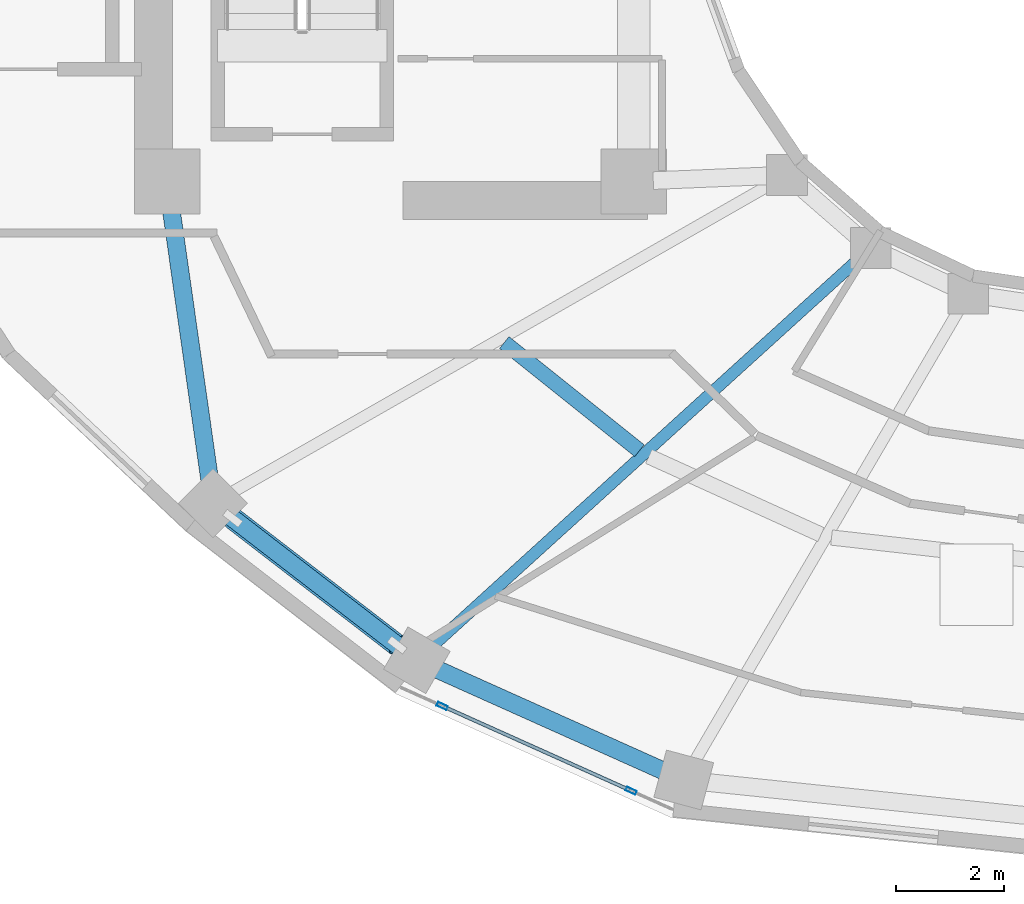
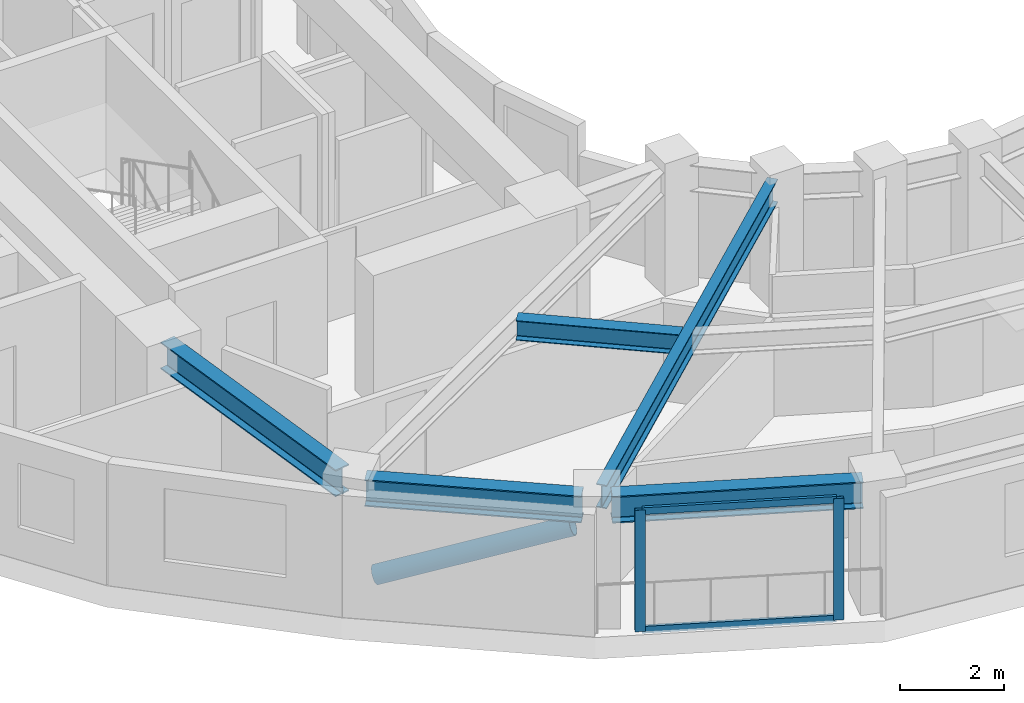
# One storey, part 2 of 17: 5 beams, 5 members, 1 element without a shape of its own.
"""IFC4 building model written with IfcOpenShell, lengths in metres."""

from ifc_helpers import new_model, si_unit, direction, frame, origin, origin_2d, place, context, subcontext, project, spatial, hollow_rectangle, hollow_circle, i_section, extrude, material, layer, layer_set, material_profile, profile_set, type_object, element, aggregate, save


model = new_model("IFC4")

# Units and contexts
model_context = context("Model", 3, precision=1e-05, world=origin(), true_north=direction((0.0, 1.0)))
body_context = subcontext(model_context, "Body", "Model", "MODEL_VIEW")
ifc_project = project(units=[si_unit("LENGTHUNIT", "METRE"), si_unit("AREAUNIT", "SQUARE_METRE"), si_unit("VOLUMEUNIT", "CUBIC_METRE"), si_unit("PLANEANGLEUNIT", "RADIAN"), si_unit("MASSUNIT", "GRAM", prefix="KILO")], contexts=[model_context])

# Site, building, storey
site_placement = place(None, origin())
site = spatial("IfcSite", under=ifc_project, at=site_placement, CompositionType="ELEMENT")
building_placement = place(site_placement, origin())
building = spatial("IfcBuilding", under=site, at=building_placement, Name="Solvane Sanctuary Tower", CompositionType="ELEMENT")
storey_placement = place(building_placement, frame((0.0, 0.0, 171.5)))
storey = spatial("IfcBuildingStorey", under=building, at=storey_placement, Name="L52", CompositionType="ELEMENT", Elevation=171.5)

# Beams
ifc_material_1 = material(Name="Steel ASTM A992 Grade 50", Category="steel")
ifc_material_profile_1 = material_profile(ifc_material_1, i_section(OverallWidth=0.214111328125, OverallDepth=0.549072265625, WebThickness=0.0146484375, FlangeThickness=0.023681640625, FilletRadius=0.014892578125, at=origin_2d()), Name="W21X93")
ifc_profile_set_1 = profile_set([ifc_material_profile_1], Name="Steel ASTM A992 Grade 50")
beam_type_1 = type_object("IfcBeamType", Name="Beam B-RAD-Z3 W21X93", PredefinedType="JOIST", material=ifc_profile_set_1)
beam_1_placement = place(storey_placement, frame((28.062744140625, 15.485107421875, 2.603515625), z_axis=(-0.74020423772, -0.672382098558, 0.0), x_axis=(0.672382098558, -0.74020423772, 0.0)))
element("IfcBeam", 1, at=beam_1_placement, inside=storey, type_object=beam_type_1, Name="L52 Radial Composite Floor Beam 09", PredefinedType="JOIST", context=body_context, shape_type="SweptSolid", body=[
    extrude(i_section(OverallWidth=0.214111328125, OverallDepth=0.549072265625, WebThickness=0.0146484375, FlangeThickness=0.023681640625, FilletRadius=0.014892578125, at=origin_2d()), origin(), (0.0, 0.0, 1.0), 10.7451171875),
])
ifc_material_profile_2 = material_profile(ifc_material_1, i_section(OverallWidth=0.280029296875, OverallDepth=0.462890625, WebThickness=0.0107421875, FlangeThickness=0.017333984375, FilletRadius=0.013916015625, at=origin_2d()), Name="W18X76")
ifc_profile_set_2 = profile_set([ifc_material_profile_2], Name="Steel ASTM A992 Grade 50")
beam_type_2 = type_object("IfcBeamType", Name="Beam B-SEC-JOIST W18X76", PredefinedType="JOIST", material=ifc_profile_set_2)
beam_2_placement = place(storey_placement, frame((21.513916015625, 13.9296875, 2.646484375), z_axis=(0.780950896308, -0.62459242515, 0.0), x_axis=(0.62459242515, 0.780950896308, 0.0)))
element("IfcBeam", 2, at=beam_2_placement, inside=storey, type_object=beam_type_2, Name="L52 Secondary Circumferential Joist 08-09", PredefinedType="JOIST", context=body_context, shape_type="SweptSolid", body=[
    extrude(i_section(OverallWidth=0.280029296875, OverallDepth=0.462890625, WebThickness=0.0107421875, FlangeThickness=0.017333984375, FilletRadius=0.013916015625, at=origin_2d()), origin(), (0.0, 0.0, 1.0), 3.191650390625),
])
ifc_material_profile_3 = material_profile(ifc_material_1, i_section(OverallWidth=0.327880859375, OverallDepth=0.6279296875, WebThickness=0.0166015625, FlangeThickness=0.027587890625, FilletRadius=0.01611328125, at=origin_2d()), Name="W24X146")
ifc_profile_set_3 = profile_set([ifc_material_profile_3], Name="Steel ASTM A992 Grade 50")
beam_type_3 = type_object("IfcBeamType", Name="Beam B-SPAND-Z3 W24X146", PredefinedType="SPANDREL", material=ifc_profile_set_3)
beam_3_placement = place(storey_placement, frame((15.33935546875, 16.622802734375, 2.56396484375), z_axis=(0.140798255486, -0.990038307972, 0.0), x_axis=(0.990038307972, 0.140798255486, 0.0)))
element("IfcBeam", 3, at=beam_3_placement, inside=storey, type_object=beam_type_3, Name="L52 Perimeter Spandrel Beam CW1-TC08", PredefinedType="SPANDREL", context=body_context, shape_type="SweptSolid", body=[
    extrude(i_section(OverallWidth=0.327880859375, OverallDepth=0.6279296875, WebThickness=0.0166015625, FlangeThickness=0.027587890625, FilletRadius=0.01611328125, at=origin_2d()), origin(), (0.0, 0.0, 1.0), 5.430908203125),
])
beam_4_placement = place(storey_placement, frame((16.365234375, 10.798095703125, 2.56396484375), z_axis=(0.792020773873, -0.610494139001, 0.0), x_axis=(0.610494139001, 0.792020773873, 0.0)))
element("IfcBeam", 4, at=beam_4_placement, inside=storey, type_object=beam_type_3, Name="L52 Perimeter Spandrel Beam TC08-TC09", PredefinedType="SPANDREL", context=body_context, shape_type="SweptSolid", body=[
    extrude(i_section(OverallWidth=0.327880859375, OverallDepth=0.6279296875, WebThickness=0.0166015625, FlangeThickness=0.027587890625, FilletRadius=0.01611328125, at=origin_2d()), origin(), (0.0, 0.0, 1.0), 4.185302734375),
])
beam_5_placement = place(storey_placement, frame((20.157470703125, 7.95751953125, 2.56396484375), z_axis=(0.912414349424, -0.409267705744, 0.0), x_axis=(0.409267705744, 0.912414349424, 0.0)))
element("IfcBeam", 5, at=beam_5_placement, inside=storey, type_object=beam_type_3, Name="L52 Perimeter Spandrel Beam TC09-TC10", PredefinedType="SPANDREL", context=body_context, shape_type="SweptSolid", body=[
    extrude(i_section(OverallWidth=0.327880859375, OverallDepth=0.6279296875, WebThickness=0.0166015625, FlangeThickness=0.027587890625, FilletRadius=0.01611328125, at=origin_2d()), origin(), (0.0, 0.0, 1.0), 4.831787109375),
])

# Curtain wall, members
ifc_material_2 = material(Name="Anodised Aluminium 6063-T6", Category="aluminium")
ifc_layer = layer(ifc_material_2, 0.179931640625, Name="Anodised Aluminium 6063-T6")
ifc_layer_set = layer_set([ifc_layer], Name="Anodised Aluminium 6063-T6")
curtain_wall_type = type_object("IfcCurtainWallType", Name="Curtain Wall CW-FRIT-Z2", PredefinedType="NOTDEFINED", material=ifc_layer_set)
curtain_wall_placement = place(storey_placement, origin())
curtain_wall = element("IfcCurtainWall", 6, at=curtain_wall_placement, inside=storey, type_object=curtain_wall_type, Name="L52 CW-FRIT-Z2 Facade Run 16", PredefinedType="NOTDEFINED")
ifc_material_profile_4 = material_profile(ifc_material_2, hollow_rectangle(XDim=0.074951171875, YDim=0.199951171875, WallThickness=0.00390625, at=origin_2d()), Name="ALU200X75X4")
ifc_profile_set_4 = profile_set([ifc_material_profile_4], Name="Anodised Aluminium 6063-T6")
member_type_1 = type_object("IfcMemberType", Name="Member M-CW-MUL-1 ALU200X75X4", PredefinedType="MULLION", material=ifc_profile_set_4)
member_1_placement = place(storey_placement, frame((20.369140625, 7.2294921875, 0.0), z_axis=(0.0, 0.0, 1.0), x_axis=(0.409410643281, 0.912350220676, 0.0)))
member_1 = element("IfcMember", 7, at=member_1_placement, type_object=member_type_1, Name="CW-FRIT-Z2 mullion 1", PredefinedType="MULLION", context=body_context, shape_type="SweptSolid", body=[
    extrude(hollow_rectangle(XDim=0.074951171875, YDim=0.199951171875, WallThickness=0.00390625, at=origin_2d()), origin(), (0.0, 0.0, 1.0), 2.840087890625),
])
member_2_placement = place(storey_placement, frame((23.8525390625, 5.66650390625, 0.0), z_axis=(0.0, 0.0, 1.0), x_axis=(0.409410643281, 0.912350220676, 0.0)))
member_2 = element("IfcMember", 8, at=member_2_placement, type_object=member_type_1, Name="CW-FRIT-Z2 mullion 2", PredefinedType="MULLION", context=body_context, shape_type="SweptSolid", body=[
    extrude(hollow_rectangle(XDim=0.074951171875, YDim=0.199951171875, WallThickness=0.00390625, at=origin_2d()), origin(), (0.0, 0.0, 1.0), 2.840087890625),
])
ifc_material_profile_5 = material_profile(ifc_material_2, hollow_rectangle(XDim=0.06494140625, YDim=0.159912109375, WallThickness=0.00341796875, at=origin_2d()), Name="ALU160X65X3.5")
ifc_profile_set_5 = profile_set([ifc_material_profile_5], Name="Anodised Aluminium 6063-T6")
member_type_2 = type_object("IfcMemberType", Name="Member M-CW-TRN-1 ALU160X65X3.5", PredefinedType="USERDEFINED", material=ifc_profile_set_5)
member_3_placement = place(storey_placement, frame((20.4033203125, 7.214111328125, 0.032470703125), z_axis=(0.912374949437, -0.409355532075, 0.0), x_axis=(0.409355532075, 0.912374949437, 0.0)))
member_3 = element("IfcMember", 9, at=member_3_placement, type_object=member_type_2, Name="CW-FRIT-Z2 transom 1.1", ObjectType="TRANSOM", PredefinedType="USERDEFINED", context=body_context, shape_type="SweptSolid", body=[
    extrude(hollow_rectangle(XDim=0.06494140625, YDim=0.159912109375, WallThickness=0.00341796875, at=origin_2d()), origin(), (0.0, 0.0, 1.0), 3.742919921875),
])
member_4_placement = place(storey_placement, frame((20.4033203125, 7.214111328125, 2.8076171875), z_axis=(0.912374949437, -0.409355532075, 0.0), x_axis=(0.409355532075, 0.912374949437, 0.0)))
member_4 = element("IfcMember", 10, at=member_4_placement, type_object=member_type_2, Name="CW-FRIT-Z2 transom 1.2", ObjectType="TRANSOM", PredefinedType="USERDEFINED", context=body_context, shape_type="SweptSolid", body=[
    extrude(hollow_rectangle(XDim=0.06494140625, YDim=0.159912109375, WallThickness=0.00341796875, at=origin_2d()), origin(), (0.0, 0.0, 1.0), 3.742919921875),
])
aggregate(curtain_wall, [member_1, member_2, member_3, member_4])

# Member
ifc_material_profile_6 = material_profile(ifc_material_1, hollow_circle(Radius=0.202880859375, WallThickness=0.012451171875, at=origin_2d()), Name="CHS406X12.5")
ifc_profile_set_6 = profile_set([ifc_material_profile_6], Name="Steel ASTM A992 Grade 50")
member_type_3 = type_object("IfcMemberType", Name="Member M-TUBE-Z3 CHS406X12.5", PredefinedType="BRACE", material=ifc_profile_set_6)
member_5_placement = place(storey_placement, frame((16.51025390625, 10.686279296875, 0.5625), z_axis=(0.73686018058, -0.568005062922, 0.366616042707), x_axis=(0.610513708364, 0.792005689311, 0.0)))
element("IfcMember", 11, at=member_5_placement, inside=storey, type_object=member_type_3, Name="L52 Perimeter Braced-Tube Diagonal SW", PredefinedType="BRACE", context=body_context, shape_type="SweptSolid", body=[
    extrude(hollow_circle(Radius=0.202880859375, WallThickness=0.012451171875, at=origin_2d()), origin(), (0.0, 0.0, 1.0), 4.104736328125),
])

save(model, "model.ifc")
